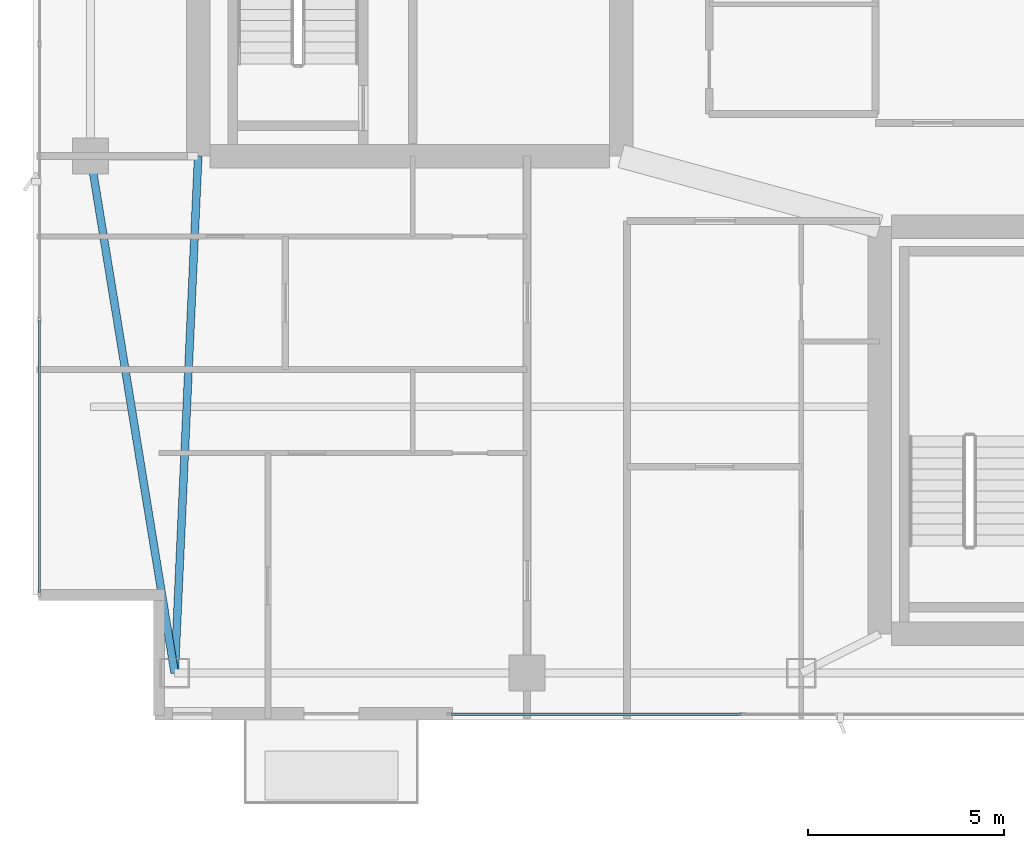
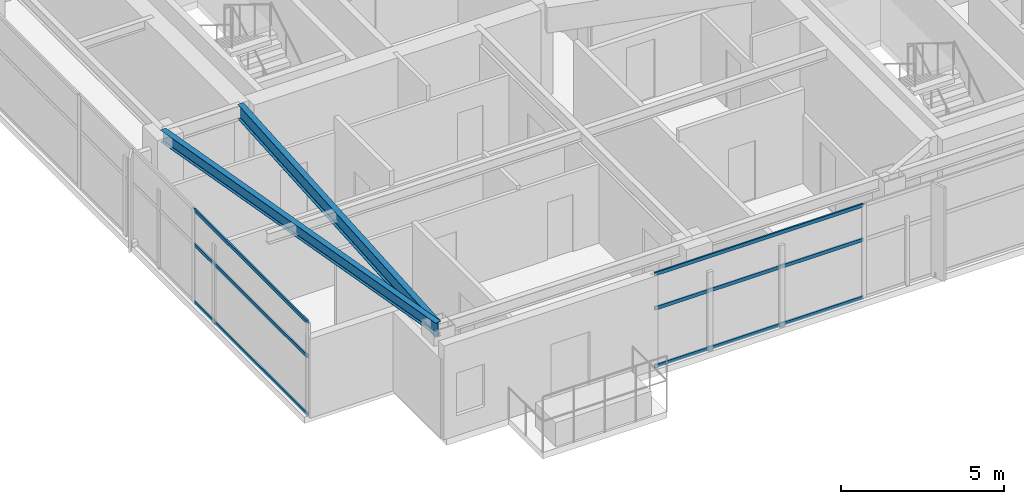
# One storey, part 3 of 27: 6 members, 2 beams, 2 elements without a shape of their own.
"""IFC4 building model written with IfcOpenShell, lengths in metres."""

from ifc_helpers import new_model, si_unit, direction, frame, origin, origin_2d, place, context, subcontext, project, spatial, hollow_rectangle, i_section, extrude, material, layer, layer_set, material_profile, profile_set, type_object, element, aggregate, save


model = new_model("IFC4")

# Units and contexts
model_context = context("Model", 3, precision=1e-05, world=origin(), true_north=direction((0.0, 1.0)))
body_context = subcontext(model_context, "Body", "Model", "MODEL_VIEW")
ifc_project = project(units=[si_unit("LENGTHUNIT", "METRE"), si_unit("AREAUNIT", "SQUARE_METRE"), si_unit("VOLUMEUNIT", "CUBIC_METRE"), si_unit("PLANEANGLEUNIT", "RADIAN"), si_unit("MASSUNIT", "GRAM", prefix="KILO")], contexts=[model_context])

# Site, building, storey
site_placement = place(None, origin())
site = spatial("IfcSite", under=ifc_project, at=site_placement, CompositionType="ELEMENT")
building_placement = place(site_placement, origin())
building = spatial("IfcBuilding", under=site, at=building_placement, Name="Calvorn Quay Hotel", CompositionType="ELEMENT")
storey_placement = place(building_placement, frame((0.0, 0.0, 278.699951171875)))
storey = spatial("IfcBuildingStorey", under=building, at=storey_placement, Name="L69", CompositionType="ELEMENT", Elevation=278.699951171875)

# Beams
ifc_material_1 = material(Name="Steel Q355B", Category="steel")
ifc_material_profile_1 = material_profile(ifc_material_1, i_section(OverallWidth=0.199951171875, OverallDepth=0.550048828125, WebThickness=0.010009765625, FlangeThickness=0.01611328125, FilletRadius=0.01806640625, at=origin_2d()), Name="HN550x200x10x16")
ifc_profile_set_1 = profile_set([ifc_material_profile_1], Name="Steel Q355B")
beam_type_1 = type_object("IfcBeamType", Name="BM-GIRD-UPP", PredefinedType="BEAM", material=ifc_profile_set_1)
beam_1_placement = place(storey_placement, frame((3.60009765625, 3.60009765625, 3.2451171875), z_axis=(0.045396765494, 0.998969035397, 0.0), x_axis=(-0.998969035397, 0.045396765494, 0.0)))
element("IfcBeam", 1, at=beam_1_placement, inside=storey, type_object=beam_type_1, Name="Beam BG-L69-W0", PredefinedType="BEAM", context=body_context, shape_type="SweptSolid", body=[
    extrude(i_section(OverallWidth=0.199951171875, OverallDepth=0.550048828125, WebThickness=0.010009765625, FlangeThickness=0.01611328125, FilletRadius=0.01806640625, at=origin_2d()), origin(), (0.0, 0.0, 1.0), 13.213623046875),
])
ifc_material_2 = material(Name="Steel Q355B", Category="steel")
ifc_material_profile_2 = material_profile(ifc_material_2, i_section(OverallWidth=0.199951171875, OverallDepth=0.449951171875, WebThickness=0.009033203125, FlangeThickness=0.013916015625, FilletRadius=0.01611328125, at=origin_2d()), Name="HN450x200x9x14")
ifc_profile_set_2 = profile_set([ifc_material_profile_2], Name="Steel Q355B")
beam_type_2 = type_object("IfcBeamType", Name="BM-SPANDREL-Z3", PredefinedType="SPANDREL", material=ifc_profile_set_2)
beam_2_placement = place(storey_placement, frame((3.60009765625, 3.60009765625, 3.295166015625), z_axis=(-0.16077155054, 0.986991645627, 0.0), x_axis=(-0.986991645627, -0.16077155054, 0.0)))
element("IfcBeam", 2, at=beam_2_placement, inside=storey, type_object=beam_type_2, Name="Beam BSP-L69-W1", PredefinedType="SPANDREL", context=body_context, shape_type="SweptSolid", body=[
    extrude(i_section(OverallWidth=0.199951171875, OverallDepth=0.449951171875, WebThickness=0.009033203125, FlangeThickness=0.013916015625, FilletRadius=0.01611328125, at=origin_2d()), origin(), (0.0, 0.0, 1.0), 13.3740234375),
])

# Curtain wall, members
ifc_material_3 = material(Name="Champagne Bronze Anodised Aluminium and Low-E Glass", Category="aluminium")
ifc_layer = layer(ifc_material_3, 0.219970703125)
ifc_layer_set = layer_set([ifc_layer], Name="CW-SYS-Z4")
curtain_wall_type = type_object("IfcCurtainWallType", Name="CW-SYS-Z4", PredefinedType="NOTDEFINED", material=ifc_layer_set)
curtain_wall_1_placement = place(storey_placement, origin())
curtain_wall_1 = element("IfcCurtainWall", 3, at=curtain_wall_1_placement, inside=storey, type_object=curtain_wall_type, Name="Tower West Curtain Wall (L69)", PredefinedType="NOTDEFINED")
ifc_material_4 = material(Name="Champagne Bronze Anodised Aluminium 6063-T6", Category="aluminium")
ifc_material_profile_3 = material_profile(ifc_material_4, hollow_rectangle(XDim=0.054931640625, YDim=0.1298828125, WallThickness=0.003173828125, at=origin_2d()), Name="ALU-T130x55x3.2")
ifc_profile_set_3 = profile_set([ifc_material_profile_3], Name="Champagne Bronze Anodised Aluminium 6063-T6")
member_type = type_object("IfcMemberType", Name="CW-SYS-Z4-TRN", PredefinedType="USERDEFINED", material=ifc_profile_set_3)
member_1_placement = place(storey_placement, frame((0.14990234375, 5.659912109375, 0.030029296875), z_axis=(0.0, 1.0, 0.0), x_axis=(-1.0, 0.0, 0.0)))
member_1 = element("IfcMember", 4, at=member_1_placement, type_object=member_type, Name="CW-L69-W transom 1.1", ObjectType="TRANSOM", PredefinedType="USERDEFINED", context=body_context, shape_type="SweptSolid", body=[
    extrude(hollow_rectangle(XDim=0.054931640625, YDim=0.1298828125, WallThickness=0.003173828125, at=origin_2d()), origin(), (0.0, 0.0, 1.0), 6.943359375),
])
member_2_placement = place(storey_placement, frame((0.14990234375, 5.659912109375, 2.199951171875), z_axis=(0.0, 1.0, 0.0), x_axis=(-1.0, 0.0, 0.0)))
member_2 = element("IfcMember", 5, at=member_2_placement, type_object=member_type, Name="CW-L69-W transom 1.2", ObjectType="TRANSOM", PredefinedType="USERDEFINED", context=body_context, shape_type="SweptSolid", body=[
    extrude(hollow_rectangle(XDim=0.054931640625, YDim=0.1298828125, WallThickness=0.003173828125, at=origin_2d()), origin(), (0.0, 0.0, 1.0), 6.943359375),
])
member_3_placement = place(storey_placement, frame((0.14990234375, 5.659912109375, 3.489990234375), z_axis=(0.0, 1.0, 0.0), x_axis=(-1.0, 0.0, 0.0)))
member_3 = element("IfcMember", 6, at=member_3_placement, type_object=member_type, Name="CW-L69-W transom 1.3", ObjectType="TRANSOM", PredefinedType="USERDEFINED", context=body_context, shape_type="SweptSolid", body=[
    extrude(hollow_rectangle(XDim=0.054931640625, YDim=0.1298828125, WallThickness=0.003173828125, at=origin_2d()), origin(), (0.0, 0.0, 1.0), 6.943359375),
])
aggregate(curtain_wall_1, [member_1, member_2, member_3])

curtain_wall_2_placement = place(storey_placement, origin())
curtain_wall_2 = element("IfcCurtainWall", 7, at=curtain_wall_2_placement, inside=storey, type_object=curtain_wall_type, Name="Tower South Waterfront Curtain Wall (L69)", PredefinedType="NOTDEFINED")
member_4_placement = place(storey_placement, frame((10.659912109375, 2.550048828125, 0.030029296875), z_axis=(1.0, 0.0, 0.0), x_axis=(0.0, 1.0, 0.0)))
member_4 = element("IfcMember", 8, at=member_4_placement, type_object=member_type, Name="CW-L69-S transom 1.1", ObjectType="TRANSOM", PredefinedType="USERDEFINED", context=body_context, shape_type="SweptSolid", body=[
    extrude(hollow_rectangle(XDim=0.054931640625, YDim=0.1298828125, WallThickness=0.003173828125, at=origin_2d()), origin(), (0.0, 0.0, 1.0), 7.41015625),
])
member_5_placement = place(storey_placement, frame((10.659912109375, 2.550048828125, 2.199951171875), z_axis=(1.0, 0.0, 0.0), x_axis=(0.0, 1.0, 0.0)))
member_5 = element("IfcMember", 9, at=member_5_placement, type_object=member_type, Name="CW-L69-S transom 1.2", ObjectType="TRANSOM", PredefinedType="USERDEFINED", context=body_context, shape_type="SweptSolid", body=[
    extrude(hollow_rectangle(XDim=0.054931640625, YDim=0.1298828125, WallThickness=0.003173828125, at=origin_2d()), origin(), (0.0, 0.0, 1.0), 7.41015625),
])
member_6_placement = place(storey_placement, frame((10.659912109375, 2.550048828125, 3.489990234375), z_axis=(1.0, 0.0, 0.0), x_axis=(0.0, 1.0, 0.0)))
member_6 = element("IfcMember", 10, at=member_6_placement, type_object=member_type, Name="CW-L69-S transom 1.3", ObjectType="TRANSOM", PredefinedType="USERDEFINED", context=body_context, shape_type="SweptSolid", body=[
    extrude(hollow_rectangle(XDim=0.054931640625, YDim=0.1298828125, WallThickness=0.003173828125, at=origin_2d()), origin(), (0.0, 0.0, 1.0), 7.41015625),
])
aggregate(curtain_wall_2, [member_4, member_5, member_6])

save(model, "model.ifc")
